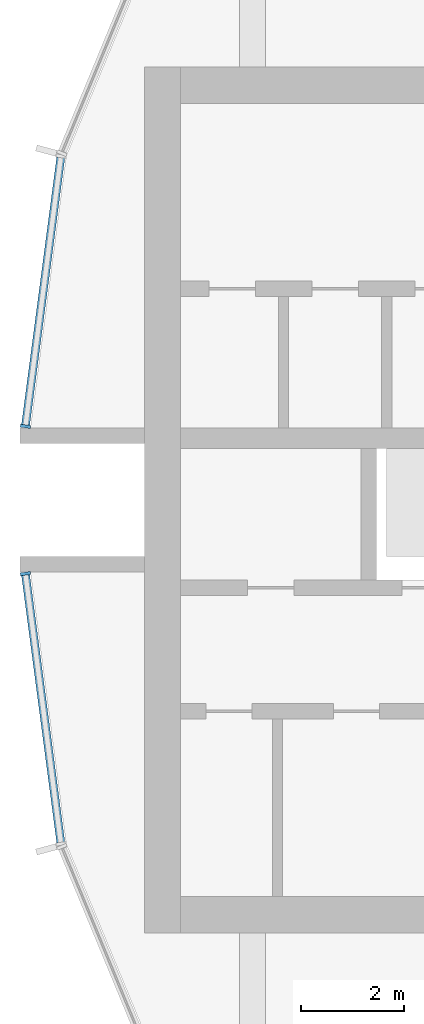
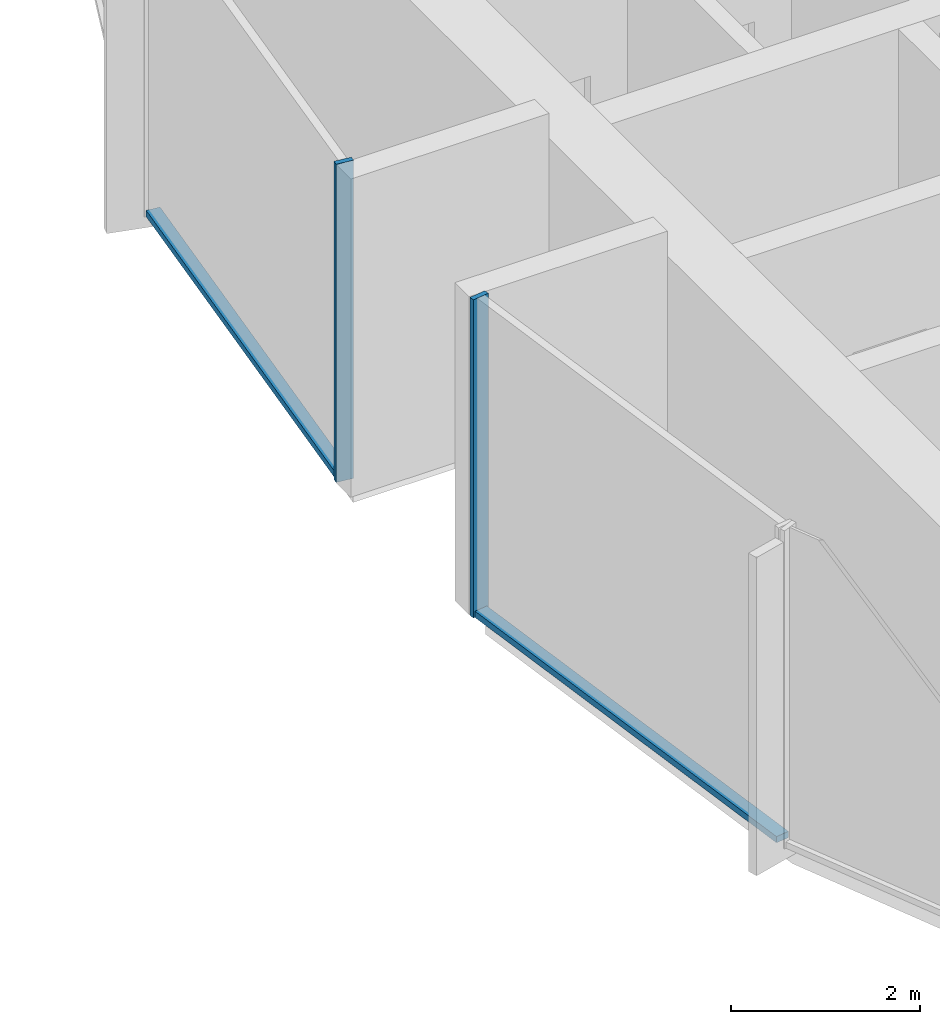
# One storey, part 3 of 15: 4 members, 2 elements without a shape of their own.
"""IFC4 building model written with IfcOpenShell, lengths in metres."""

from ifc_helpers import new_model, si_unit, direction, frame, origin, origin_2d, place, context, subcontext, project, spatial, rectangle, extrude, material, layer, layer_set, material_profile, profile_set, type_object, element, aggregate, save


model = new_model("IFC4")

# Units and contexts
model_context = context("Model", 3, precision=1e-05, world=origin(), true_north=direction((0.0, 1.0)))
body_context = subcontext(model_context, "Body", "Model", "MODEL_VIEW")
ifc_project = project(units=[si_unit("LENGTHUNIT", "METRE"), si_unit("AREAUNIT", "SQUARE_METRE"), si_unit("VOLUMEUNIT", "CUBIC_METRE"), si_unit("PLANEANGLEUNIT", "RADIAN"), si_unit("MASSUNIT", "GRAM", prefix="KILO")], contexts=[model_context])

# Site, building, storey
site_placement = place(None, origin())
site = spatial("IfcSite", under=ifc_project, at=site_placement, CompositionType="ELEMENT")
building_placement = place(site_placement, origin())
building = spatial("IfcBuilding", under=site, at=building_placement, Name="Torre Brocal", CompositionType="ELEMENT")
storey_placement = place(building_placement, frame((0.0, 0.0, 186.39990234375)))
storey = spatial("IfcBuildingStorey", under=building, at=storey_placement, Name="L43", CompositionType="ELEMENT", Elevation=186.39990234375)

# Curtain wall, member
ifc_material_1 = material(Name="Aluminium and glass", Category="aluminium")
ifc_layer = layer(ifc_material_1, 0.199951171875)
ifc_layer_set = layer_set([ifc_layer], Name="Aluminium and glass")
curtain_wall_type = type_object("IfcCurtainWallType", Name="CW-1B CURTAIN WALL 4100 HIGH", PredefinedType="NOTDEFINED", material=ifc_layer_set)
curtain_wall_1_placement = place(storey_placement, origin())
curtain_wall_1 = element("IfcCurtainWall", 1, at=curtain_wall_1_placement, inside=storey, type_object=curtain_wall_type, Name="CW-1B RUN 12", PredefinedType="NOTDEFINED")
ifc_material_2 = material(Name="Aluminium, dark anodised", Category="aluminium")
ifc_material_profile_1 = material_profile(ifc_material_2, rectangle(XDim=0.199951171875, YDim=0.06005859375, at=origin_2d()), Name="CW-1B MULLION 60X200")
ifc_profile_set_1 = profile_set([ifc_material_profile_1], Name="Aluminium, dark anodised")
member_type_1 = type_object("IfcMemberType", Name="CW-1B MULLION 60X200", PredefinedType="MULLION", material=ifc_profile_set_1)
member_1_placement = place(storey_placement, frame((54.2890625, 76.4296875, 0.0), z_axis=(0.0, 0.0, 1.0), x_axis=(0.991444861374, -0.13052619222, 0.0)))
member_1 = element("IfcMember", 2, at=member_1_placement, type_object=member_type_1, Name="CW1B-4 mullion 2", PredefinedType="MULLION", context=body_context, shape_type="SweptSolid", body=[
    extrude(rectangle(XDim=0.199951171875, YDim=0.06005859375, at=origin_2d()), origin(), (0.0, 0.0, 1.0), 4.10009765625),
])

curtain_wall_2_placement = place(storey_placement, origin())
curtain_wall_2 = element("IfcCurtainWall", 3, at=curtain_wall_2_placement, inside=storey, type_object=curtain_wall_type, Name="CW-1B RUN 13", PredefinedType="NOTDEFINED")
member_2_placement = place(storey_placement, frame((54.2890625, 73.5703125, 0.0), z_axis=(0.0, 0.0, 1.0), x_axis=(0.991444861374, 0.13052619222, 0.0)))
member_2 = element("IfcMember", 4, at=member_2_placement, type_object=member_type_1, Name="CW1B-4 mullion 1", PredefinedType="MULLION", context=body_context, shape_type="SweptSolid", body=[
    extrude(rectangle(XDim=0.199951171875, YDim=0.06005859375, at=origin_2d()), origin(), (0.0, 0.0, 1.0), 4.10009765625),
])

# Member
ifc_material_3 = material(Name="Aluminium, dark anodised", Category="aluminium")
ifc_material_profile_2 = material_profile(ifc_material_3, rectangle(XDim=0.159912109375, YDim=0.080078125, at=origin_2d()), Name="CW-1B TRANSOM 160X80")
ifc_profile_set_2 = profile_set([ifc_material_profile_2], Name="Aluminium, dark anodised")
member_type_2 = type_object("IfcMemberType", Name="CW-1B TRANSOM 160X80", PredefinedType="USERDEFINED", material=ifc_profile_set_2)
member_3_placement = place(storey_placement, frame((54.9755859375, 81.643798828125, 0.0400390625), z_axis=(-0.130542677827, -0.991442690863, 0.0), x_axis=(0.991442690863, -0.130542677827, 0.0)))
member_3 = element("IfcMember", 5, at=member_3_placement, type_object=member_type_2, Name="CW1B-4 transom 1.1", ObjectType="TRANSOM", PredefinedType="USERDEFINED", context=body_context, shape_type="SweptSolid", body=[
    extrude(rectangle(XDim=0.159912109375, YDim=0.080078125, at=origin_2d()), origin(), (0.0, 0.0, 1.0), 5.22900390625),
])

aggregate(curtain_wall_1, [member_1, member_3])

member_4_placement = place(storey_placement, frame((54.29296875, 73.54052734375, 0.0400390625), z_axis=(0.130542677827, -0.991442690863, 0.0), x_axis=(0.991442690863, 0.130542677827, 0.0)))
member_4 = element("IfcMember", 6, at=member_4_placement, type_object=member_type_2, Name="CW1B-4 transom 1.1", ObjectType="TRANSOM", PredefinedType="USERDEFINED", context=body_context, shape_type="SweptSolid", body=[
    extrude(rectangle(XDim=0.159912109375, YDim=0.080078125, at=origin_2d()), origin(), (0.0, 0.0, 1.0), 5.22900390625),
])

aggregate(curtain_wall_2, [member_2, member_4])

save(model, "model.ifc")
